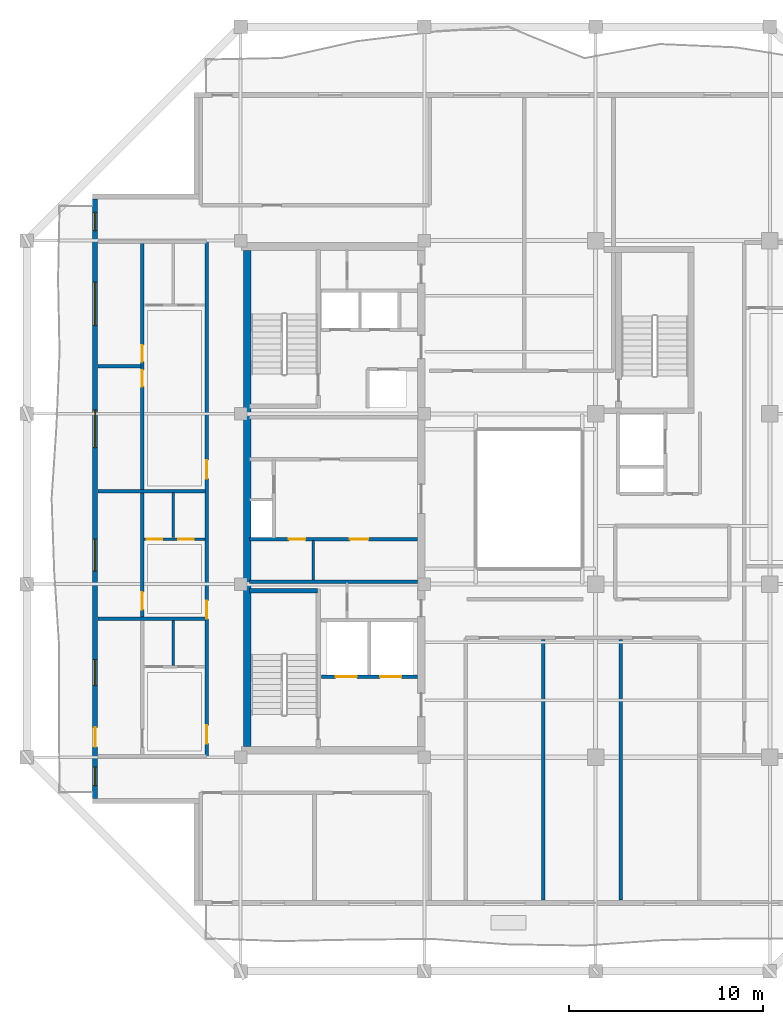
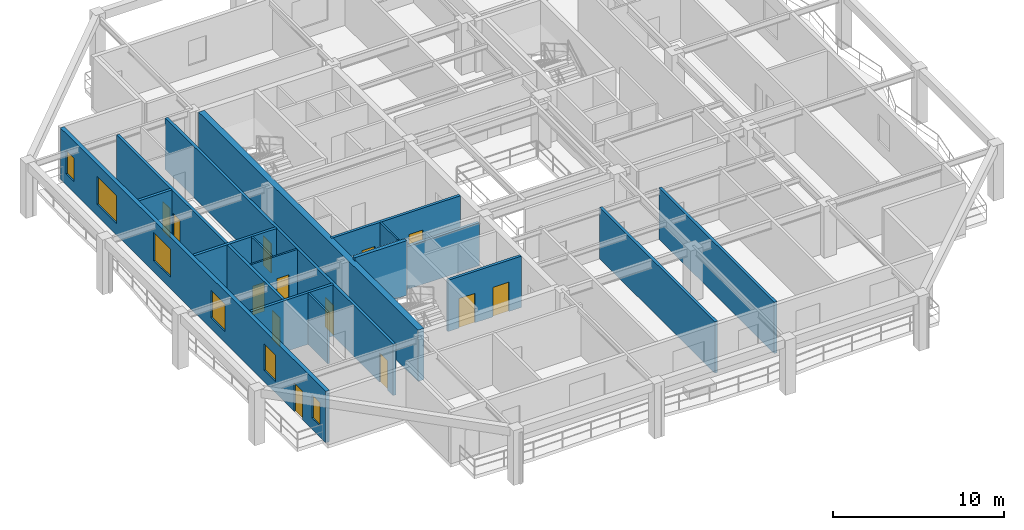
# One storey, part 3 of 11: 18 walls, 13 doors, 6 windows, 19 openings.
"""IFC4 building model written with IfcOpenShell, lengths in metres."""

from ifc_helpers import new_model, si_unit, direction, frame, frame_2d, origin, place, context, subcontext, project, spatial, rectangle, extrude, material, layer, layer_set, type_object, element, fill, save


model = new_model("IFC4")

# Units and contexts
model_context = context("Model", 3, precision=1e-05, world=origin(), true_north=direction((0.0, 1.0)))
body_context = subcontext(model_context, "Body", "Model", "MODEL_VIEW")
ifc_project = project(units=[si_unit("LENGTHUNIT", "METRE"), si_unit("AREAUNIT", "SQUARE_METRE"), si_unit("VOLUMEUNIT", "CUBIC_METRE"), si_unit("PLANEANGLEUNIT", "RADIAN"), si_unit("MASSUNIT", "GRAM", prefix="KILO")], contexts=[model_context])

# Site, building, storey
site_placement = place(None, origin())
site = spatial("IfcSite", under=ifc_project, at=site_placement, CompositionType="ELEMENT")
building_placement = place(site_placement, origin())
building = spatial("IfcBuilding", under=site, at=building_placement, Name="Kundavana Baori Tower", CompositionType="ELEMENT")
storey_placement = place(building_placement, frame((0.0, 0.0, 264.800048828125)))
storey = spatial("IfcBuildingStorey", under=building, at=storey_placement, Name="L65", CompositionType="ELEMENT", Elevation=264.800048828125)

# Walls
ifc_material_1 = material(Name="Concrete C50/60", Category="concrete")
ifc_layer_1 = layer(ifc_material_1, 0.39990234375, Name="WL-CORE-400")
ifc_layer_set_1 = layer_set([ifc_layer_1], Name="Concrete C50/60")
wall_type_1 = type_object("IfcWallType", Name="WL-CORE-400", PredefinedType="SHEAR", material=ifc_layer_set_1)
wall_1_placement = place(storey_placement, frame((15.7900390625, 15.81005859375, 0.0), z_axis=(0.0, 0.0, 1.0), x_axis=(0.0, 1.0, 0.0)))
element("IfcWall", 1, at=wall_1_placement, inside=storey, type_object=wall_type_1, Name="L65 Offset Core West Shear Wall", PredefinedType="SHEAR", context=body_context, shape_type="SweptSolid", body=[
    extrude(rectangle(XDim=25.6298828125, YDim=0.39990234375, at=frame_2d((12.81494140625, 0.0))), origin(), (0.0, 0.0, 1.0), 3.659912109375),
])
wall_2_placement = place(storey_placement, frame((15.89990234375, 23.860107421875, 0.0), z_axis=(0.0, 0.0, 1.0), x_axis=(1.0, 0.0, 0.0)))
element("IfcWall", 2, at=wall_2_placement, inside=storey, type_object=wall_type_1, Name="WL-L65-ST1-N", PredefinedType="SHEAR", context=body_context, shape_type="SweptSolid", body=[
    extrude(rectangle(XDim=3.52001953125, YDim=0.239990234375, at=frame_2d((1.760009765625, 0.0))), origin(), (0.0, 0.0, 1.0), 3.89990234375),
])

# Wall, openings, door, windows
ifc_material_2 = material(Name="Kiln-Fired Terracotta Brick-Slip Masonry on Concrete C40/50", Category="masonry")
ifc_layer_2 = layer(ifc_material_2, 0.260009765625, Name="WL-EXT-BRK-260")
ifc_layer_set_2 = layer_set([ifc_layer_2], Name="Kiln-Fired Terracotta Brick-Slip Masonry on Concrete C40/50")
wall_type_2 = type_object("IfcWallType", Name="WL-EXT-BRK-260", PredefinedType="SOLIDWALL", material=ifc_layer_set_2)
wall_3_placement = place(storey_placement, frame((7.929931640625, 44.090087890625, 0.0), z_axis=(0.0, 0.0, 1.0), x_axis=(0.0, -1.0, 0.0)))
wall_3 = element("IfcWall", 3, at=wall_3_placement, inside=storey, type_object=wall_type_2, Name="L65 Exterior Insulated Facade Wall 10", PredefinedType="SOLIDWALL", context=body_context, shape_type="SweptSolid", body=[
    extrude(rectangle(XDim=30.97998046875, YDim=0.260009765625, at=frame_2d((15.489990234375, 0.0))), origin(), (0.0, 0.0, 1.0), 3.659912109375),
])
opening_1_placement = place(wall_3_placement, frame((29.35498046875, 0.0, 0.800048828125)))
opening_1 = element("IfcOpeningElement", 4, at=opening_1_placement, cuts=wall_3, Name="Opening W-13", PredefinedType="OPENING", context=body_context, shape_type="SweptSolid", body=[
    extrude(rectangle(XDim=0.949951171875, YDim=1.64990234375, at=frame_2d((0.47509765625, 0.824951171875))), frame((0.0, 0.14013671875, 0.0), z_axis=(0.0, -1.0, 0.0), x_axis=(1.0, 0.0, 0.0)), (0.0, 0.0, 1.0), 0.280029296875),
])
opening_2_placement = place(wall_3_placement, frame((27.300048828125, 0.0, 0.0)))
opening_2 = element("IfcOpeningElement", 5, at=opening_2_placement, cuts=wall_3, Name="Opening BD-1", PredefinedType="OPENING", context=body_context, shape_type="SweptSolid", body=[
    extrude(rectangle(XDim=1.0, YDim=2.050048828125, at=frame_2d((0.5, 1.02490234375))), frame((0.0, 0.14013671875, 0.0), z_axis=(0.0, -1.0, 0.0), x_axis=(1.0, 0.0, 0.0)), (0.0, 0.0, 1.0), 0.280029296875),
])
opening_3_placement = place(wall_3_placement, frame((23.7900390625, 0.0, 0.800048828125)))
opening_3 = element("IfcOpeningElement", 6, at=opening_3_placement, cuts=wall_3, Name="Opening W-07", PredefinedType="OPENING", context=body_context, shape_type="SweptSolid", body=[
    extrude(rectangle(XDim=1.35009765625, YDim=1.89990234375, at=frame_2d((0.675048828125, 0.949951171875))), frame((0.0, 0.14013671875, 0.0), z_axis=(0.0, -1.0, 0.0), x_axis=(1.0, 0.0, 0.0)), (0.0, 0.0, 1.0), 0.280029296875),
])
opening_4_placement = place(wall_3_placement, frame((17.56494140625, 0.0, 0.800048828125)))
opening_4 = element("IfcOpeningElement", 7, at=opening_4_placement, cuts=wall_3, Name="Opening W-08", PredefinedType="OPENING", context=body_context, shape_type="SweptSolid", body=[
    extrude(rectangle(XDim=1.64990234375, YDim=1.949951171875, at=frame_2d((0.824951171875, 0.97509765625))), frame((0.0, 0.14013671875, 0.0), z_axis=(0.0, -1.0, 0.0), x_axis=(1.0, 0.0, 0.0)), (0.0, 0.0, 1.0), 0.280029296875),
])
opening_5_placement = place(wall_3_placement, frame((10.889892578125, 0.0, 0.800048828125)))
opening_5 = element("IfcOpeningElement", 8, at=opening_5_placement, cuts=wall_3, Name="Opening W-09", PredefinedType="OPENING", context=body_context, shape_type="SweptSolid", body=[
    extrude(rectangle(XDim=1.949951171875, YDim=2.0, at=frame_2d((0.97509765625, 1.0))), frame((0.0, 0.14013671875, 0.0), z_axis=(0.0, -1.0, 0.0), x_axis=(1.0, 0.0, 0.0)), (0.0, 0.0, 1.0), 0.280029296875),
])
opening_6_placement = place(wall_3_placement, frame((4.2900390625, 0.0, 0.800048828125)))
opening_6 = element("IfcOpeningElement", 9, at=opening_6_placement, cuts=wall_3, Name="Opening W-10", PredefinedType="OPENING", context=body_context, shape_type="SweptSolid", body=[
    extrude(rectangle(XDim=2.25, YDim=2.0, at=frame_2d((1.125, 1.0))), frame((0.0, 0.14013671875, 0.0), z_axis=(0.0, -1.0, 0.0), x_axis=(1.0, 0.0, 0.0)), (0.0, 0.0, 1.0), 0.280029296875),
])
opening_7_placement = place(wall_3_placement, frame((0.675048828125, 0.0, 0.800048828125)))
opening_7 = element("IfcOpeningElement", 10, at=opening_7_placement, cuts=wall_3, Name="Opening W-13", PredefinedType="OPENING", context=body_context, shape_type="SweptSolid", body=[
    extrude(rectangle(XDim=0.949951171875, YDim=1.64990234375, at=frame_2d((0.47509765625, 0.824951171875))), frame((0.0, 0.14013671875, 0.0), z_axis=(0.0, -1.0, 0.0), x_axis=(1.0, 0.0, 0.0)), (0.0, 0.0, 1.0), 0.280029296875),
])
ifc_material_3 = material(Name="Architectural Patinated Bronze Metalwork")
door_type_1 = type_object("IfcDoorType", Name="DR-EXT-LOG-1000", OperationType="NOTDEFINED", PredefinedType="DOOR", material=ifc_material_3)
door_1_placement = place(opening_2_placement, frame((1.0, 0.0, 0.0), z_axis=(0.0, 0.0, 1.0), x_axis=(-1.0, 0.0, 0.0)))
door_1 = element("IfcDoor", 11, at=door_1_placement, inside=storey, type_object=door_type_1, Name="L65 Loggia Balcony Access Door W", OperationType="SINGLE_SWING_LEFT", OverallHeight=2.050048828125, OverallWidth=1.0, PredefinedType="DOOR", context=body_context, shape_type="SweptSolid", body=[
    extrude(rectangle(XDim=1.0, YDim=2.050048828125, at=frame_2d((0.5, 1.02490234375))), frame((0.0, 0.02490234375, 0.0), z_axis=(0.0, -1.0, 0.0), x_axis=(1.0, 0.0, 0.0)), (0.0, 0.0, 1.0), 0.050048828125),
])
fill(opening_2, door_1)
ifc_material_4 = material(Name="Double-Glazed Solar-Control Low-E Insulated Glass", Category="glass")
window_type_1 = type_object("IfcWindowType", Name="WIN-LOG-1350x1900", PartitioningType="SINGLE_PANEL", PredefinedType="WINDOW", material=ifc_material_4)
window_1_placement = place(opening_3_placement, origin())
window_1 = element("IfcWindow", 12, at=window_1_placement, inside=storey, type_object=window_type_1, Name="L65 Recessed Loggia Window W-2", OverallHeight=1.89990234375, OverallWidth=1.35009765625, PartitioningType="SINGLE_PANEL", PredefinedType="WINDOW", context=body_context, shape_type="SweptSolid", body=[
    extrude(rectangle(XDim=1.35009765625, YDim=1.89990234375, at=frame_2d((0.675048828125, 0.949951171875))), frame((0.0, 0.030029296875, 0.0), z_axis=(0.0, -1.0, 0.0), x_axis=(1.0, 0.0, 0.0)), (0.0, 0.0, 1.0), 0.06005859375),
])
fill(opening_3, window_1)
ifc_material_5 = material(Name="Double-Glazed Solar-Control Low-E Insulated Glass", Category="glass")
window_type_2 = type_object("IfcWindowType", Name="WIN-LOG-1650x1950", PartitioningType="SINGLE_PANEL", PredefinedType="WINDOW", material=ifc_material_5)
window_2_placement = place(opening_4_placement, origin())
window_2 = element("IfcWindow", 13, at=window_2_placement, inside=storey, type_object=window_type_2, Name="L65 Recessed Loggia Window W-3", OverallHeight=1.949951171875, OverallWidth=1.64990234375, PartitioningType="SINGLE_PANEL", PredefinedType="WINDOW", context=body_context, shape_type="SweptSolid", body=[
    extrude(rectangle(XDim=1.64990234375, YDim=1.949951171875, at=frame_2d((0.824951171875, 0.97509765625))), frame((0.0, 0.030029296875, 0.0), z_axis=(0.0, -1.0, 0.0), x_axis=(1.0, 0.0, 0.0)), (0.0, 0.0, 1.0), 0.06005859375),
])
fill(opening_4, window_2)
ifc_material_6 = material(Name="Double-Glazed Solar-Control Low-E Insulated Glass", Category="glass")
window_type_3 = type_object("IfcWindowType", Name="WIN-LOG-1950x2000", PartitioningType="SINGLE_PANEL", PredefinedType="WINDOW", material=ifc_material_6)
window_3_placement = place(opening_5_placement, origin())
window_3 = element("IfcWindow", 14, at=window_3_placement, inside=storey, type_object=window_type_3, Name="L65 Recessed Loggia Window W-4", OverallHeight=2.0, OverallWidth=1.949951171875, PartitioningType="SINGLE_PANEL", PredefinedType="WINDOW", context=body_context, shape_type="SweptSolid", body=[
    extrude(rectangle(XDim=1.949951171875, YDim=2.0, at=frame_2d((0.97509765625, 1.0))), frame((0.0, 0.030029296875, 0.0), z_axis=(0.0, -1.0, 0.0), x_axis=(1.0, 0.0, 0.0)), (0.0, 0.0, 1.0), 0.06005859375),
])
fill(opening_5, window_3)
ifc_material_7 = material(Name="Double-Glazed Solar-Control Low-E Insulated Glass", Category="glass")
window_type_4 = type_object("IfcWindowType", Name="WIN-LOG-2250x2000", PartitioningType="SINGLE_PANEL", PredefinedType="WINDOW", material=ifc_material_7)
window_4_placement = place(opening_6_placement, origin())
window_4 = element("IfcWindow", 15, at=window_4_placement, inside=storey, type_object=window_type_4, Name="L65 Recessed Loggia Window W-5", OverallHeight=2.0, OverallWidth=2.25, PartitioningType="SINGLE_PANEL", PredefinedType="WINDOW", context=body_context, shape_type="SweptSolid", body=[
    extrude(rectangle(XDim=2.25, YDim=2.0, at=frame_2d((1.125, 1.0))), frame((0.0, 0.030029296875, 0.0), z_axis=(0.0, -1.0, 0.0), x_axis=(1.0, 0.0, 0.0)), (0.0, 0.0, 1.0), 0.06005859375),
])
fill(opening_6, window_4)
ifc_material_8 = material(Name="Double-Glazed Solar-Control Low-E Insulated Glass", Category="glass")
window_type_5 = type_object("IfcWindowType", Name="WIN-LOG-950x1650", PartitioningType="SINGLE_PANEL", PredefinedType="WINDOW", material=ifc_material_8)
window_5_placement = place(opening_1_placement, origin())
window_5 = element("IfcWindow", 16, at=window_5_placement, inside=storey, type_object=window_type_5, Name="L65 Recessed Loggia Window W-1", OverallHeight=1.64990234375, OverallWidth=0.949951171875, PartitioningType="SINGLE_PANEL", PredefinedType="WINDOW", context=body_context, shape_type="SweptSolid", body=[
    extrude(rectangle(XDim=0.949951171875, YDim=1.64990234375, at=frame_2d((0.47509765625, 0.824951171875))), frame((0.0, 0.030029296875, 0.0), z_axis=(0.0, -1.0, 0.0), x_axis=(1.0, 0.0, 0.0)), (0.0, 0.0, 1.0), 0.06005859375),
])
fill(opening_1, window_5)
window_6_placement = place(opening_7_placement, origin())
window_6 = element("IfcWindow", 17, at=window_6_placement, inside=storey, type_object=window_type_5, Name="L65 Recessed Loggia Window W-6", OverallHeight=1.64990234375, OverallWidth=0.949951171875, PartitioningType="SINGLE_PANEL", PredefinedType="WINDOW", context=body_context, shape_type="SweptSolid", body=[
    extrude(rectangle(XDim=0.949951171875, YDim=1.64990234375, at=frame_2d((0.47509765625, 0.824951171875))), frame((0.0, 0.030029296875, 0.0), z_axis=(0.0, -1.0, 0.0), x_axis=(1.0, 0.0, 0.0)), (0.0, 0.0, 1.0), 0.06005859375),
])
fill(opening_7, window_6)

# Wall
ifc_material_9 = material(Name="Acoustic Gypsum Plasterboard on Galvanised Steel Studs", Category="steel")
ifc_layer_3 = layer(ifc_material_9, 0.1201171875, Name="WL-PART-120")
ifc_layer_set_3 = layer_set([ifc_layer_3], Name="Acoustic Gypsum Plasterboard on Galvanised Steel Studs")
wall_type_3 = type_object("IfcWallType", Name="WL-PART-120", PredefinedType="PARTITIONING", material=ifc_layer_set_3)
wall_4_placement = place(storey_placement, frame((19.199951171875, 24.419921875, 0.0), z_axis=(0.0, 0.0, 1.0), x_axis=(0.0, 1.0, 0.0)))
element("IfcWall", 18, at=wall_4_placement, inside=storey, type_object=wall_type_3, Name="WL-L65-FRLOW-DIV", PredefinedType="PARTITIONING", context=body_context, shape_type="SweptSolid", body=[
    extrude(rectangle(XDim=2.02001953125, YDim=0.1201171875, at=frame_2d((1.010009765625, 0.0))), origin(), (0.0, 0.0, 1.0), 3.659912109375),
])

# Wall, openings, doors
ifc_material_10 = material(Name="Autoclaved Aerated Concrete Blockwork Masonry", Category="masonry")
ifc_layer_4 = layer(ifc_material_10, 0.18505859375, Name="WL-PART-180")
ifc_layer_set_4 = layer_set([ifc_layer_4], Name="Autoclaved Aerated Concrete Blockwork Masonry")
wall_type_4 = type_object("IfcWallType", Name="WL-PART-180", PredefinedType="SOLIDWALL", material=ifc_layer_set_4)
wall_5_placement = place(storey_placement, frame((13.699951171875, 15.300048828125, 0.0), z_axis=(0.0, 0.0, 1.0), x_axis=(0.0, 1.0, 0.0)))
wall_5 = element("IfcWall", 19, at=wall_5_placement, inside=storey, type_object=wall_type_4, Name="WL-L65-RW", PredefinedType="SOLIDWALL", context=body_context, shape_type="SweptSolid", body=[
    extrude(rectangle(XDim=26.599853515625, YDim=0.18505859375, at=frame_2d((13.2998046875, 0.0))), origin(), (0.0, 0.0, 1.0), 3.659912109375),
])
opening_8_placement = place(wall_5_placement, frame((0.64990234375, 0.0, 0.0)))
opening_8 = element("IfcOpeningElement", 20, at=opening_8_placement, cuts=wall_5, Name="Opening FD-095", PredefinedType="OPENING", context=body_context, shape_type="SweptSolid", body=[
    extrude(rectangle(XDim=0.949951171875, YDim=2.10009765625, at=frame_2d((0.47509765625, 1.050048828125))), frame((0.0, 0.1025390625, 0.0), z_axis=(0.0, -1.0, 0.0), x_axis=(1.0, 0.0, 0.0)), (0.0, 0.0, 1.0), 0.205078125),
])
opening_9_placement = place(wall_5_placement, frame((7.10009765625, 0.0, 0.0)))
opening_9 = element("IfcOpeningElement", 21, at=opening_9_placement, cuts=wall_5, Name="Opening FD-095", PredefinedType="OPENING", context=body_context, shape_type="SweptSolid", body=[
    extrude(rectangle(XDim=0.949951171875, YDim=2.10009765625, at=frame_2d((0.47509765625, 1.050048828125))), frame((0.0, 0.1025390625, 0.0), z_axis=(0.0, -1.0, 0.0), x_axis=(1.0, 0.0, 0.0)), (0.0, 0.0, 1.0), 0.205078125),
])
opening_10_placement = place(wall_5_placement, frame((14.35009765625, 0.0, 0.0)))
opening_10 = element("IfcOpeningElement", 22, at=opening_10_placement, cuts=wall_5, Name="Opening FD-095", PredefinedType="OPENING", context=body_context, shape_type="SweptSolid", body=[
    extrude(rectangle(XDim=0.949951171875, YDim=2.10009765625, at=frame_2d((0.47509765625, 1.050048828125))), frame((0.0, 0.1025390625, 0.0), z_axis=(0.0, -1.0, 0.0), x_axis=(1.0, 0.0, 0.0)), (0.0, 0.0, 1.0), 0.205078125),
])
ifc_material_11 = material(Name="Engineered Teak Fire-Rated Timber Door Leaf", Category="wood")
door_type_2 = type_object("IfcDoorType", Name="DR-FD60-950", OperationType="NOTDEFINED", PredefinedType="DOOR", material=ifc_material_11)
door_2_placement = place(opening_8_placement, frame((0.949951171875, 0.0, 0.0), z_axis=(0.0, 0.0, 1.0), x_axis=(-1.0, 0.0, 0.0)))
door_2 = element("IfcDoor", 23, at=door_2_placement, inside=storey, type_object=door_type_2, Name="DR-L65-W1-ENT", OperationType="SINGLE_SWING_LEFT", OverallHeight=2.10009765625, OverallWidth=0.949951171875, PredefinedType="DOOR", context=body_context, shape_type="SweptSolid", body=[
    extrude(rectangle(XDim=0.949951171875, YDim=2.10009765625, at=frame_2d((0.47509765625, 1.050048828125))), frame((0.0, 0.02490234375, 0.0), z_axis=(0.0, -1.0, 0.0), x_axis=(1.0, 0.0, 0.0)), (0.0, 0.0, 1.0), 0.050048828125),
])
fill(opening_8, door_2)
door_3_placement = place(opening_9_placement, frame((0.949951171875, 0.0, 0.0), z_axis=(0.0, 0.0, 1.0), x_axis=(-1.0, 0.0, 0.0)))
door_3 = element("IfcDoor", 24, at=door_3_placement, inside=storey, type_object=door_type_2, Name="DR-L65-W2-ENT", OperationType="SINGLE_SWING_LEFT", OverallHeight=2.10009765625, OverallWidth=0.949951171875, PredefinedType="DOOR", context=body_context, shape_type="SweptSolid", body=[
    extrude(rectangle(XDim=0.949951171875, YDim=2.10009765625, at=frame_2d((0.47509765625, 1.050048828125))), frame((0.0, 0.02490234375, 0.0), z_axis=(0.0, -1.0, 0.0), x_axis=(1.0, 0.0, 0.0)), (0.0, 0.0, 1.0), 0.050048828125),
])
fill(opening_9, door_3)
door_4_placement = place(opening_10_placement, frame((0.949951171875, 0.0, 0.0), z_axis=(0.0, 0.0, 1.0), x_axis=(-1.0, 0.0, 0.0)))
door_4 = element("IfcDoor", 25, at=door_4_placement, inside=storey, type_object=door_type_2, Name="DR-L65-W3-ENT", OperationType="SINGLE_SWING_LEFT", OverallHeight=2.10009765625, OverallWidth=0.949951171875, PredefinedType="DOOR", context=body_context, shape_type="SweptSolid", body=[
    extrude(rectangle(XDim=0.949951171875, YDim=2.10009765625, at=frame_2d((0.47509765625, 1.050048828125))), frame((0.0, 0.02490234375, 0.0), z_axis=(0.0, -1.0, 0.0), x_axis=(1.0, 0.0, 0.0)), (0.0, 0.0, 1.0), 0.050048828125),
])
fill(opening_10, door_4)

# Wall
wall_6_placement = place(storey_placement, frame((8.080078125, 22.39990234375, 0.0), z_axis=(0.0, 0.0, 1.0), x_axis=(1.0, 0.0, 0.0)))
element("IfcWall", 26, at=wall_6_placement, inside=storey, type_object=wall_type_4, Name="WL-L65-RWD1", PredefinedType="SOLIDWALL", context=body_context, shape_type="SweptSolid", body=[
    extrude(rectangle(XDim=5.559814453125, YDim=0.18505859375, at=frame_2d((2.77978515625, 0.0))), origin(), (0.0, 0.0, 1.0), 3.659912109375),
])

# Wall, opening, door
wall_7_placement = place(storey_placement, frame((10.3701171875, 22.47998046875, 0.0), z_axis=(0.0, 0.0, 1.0), x_axis=(0.0, 1.0, 0.0)))
wall_7 = element("IfcWall", 27, at=wall_7_placement, inside=storey, type_object=wall_type_4, Name="WL-L65-W2-VT", PredefinedType="SOLIDWALL", context=body_context, shape_type="SweptSolid", body=[
    extrude(rectangle(XDim=6.43994140625, YDim=0.18505859375, at=frame_2d((3.219970703125, 0.0))), origin(), (0.0, 0.0, 1.0), 3.659912109375),
])
opening_11_placement = place(wall_7_placement, frame((0.39990234375, 0.0, 0.0)))
opening_11 = element("IfcOpeningElement", 28, at=opening_11_placement, cuts=wall_7, Name="Opening ID-090", PredefinedType="OPENING", context=body_context, shape_type="SweptSolid", body=[
    extrude(rectangle(XDim=0.89990234375, YDim=2.080078125, at=frame_2d((0.449951171875, 1.0400390625))), frame((0.0, 0.1025390625, 0.0), z_axis=(0.0, -1.0, 0.0), x_axis=(1.0, 0.0, 0.0)), (0.0, 0.0, 1.0), 0.205078125),
])
ifc_material_12 = material(Name="Engineered Teak Solid-Core Timber Veneer", Category="wood")
door_type_3 = type_object("IfcDoorType", Name="DR-INT-900", OperationType="NOTDEFINED", PredefinedType="DOOR", material=ifc_material_12)
door_5_placement = place(opening_11_placement, frame((0.89990234375, 0.0, 0.0), z_axis=(0.0, 0.0, 1.0), x_axis=(-1.0, 0.0, 0.0)))
door_5 = element("IfcDoor", 29, at=door_5_placement, inside=storey, type_object=door_type_3, Name="DR-L65-W2-B1", OperationType="SINGLE_SWING_LEFT", OverallHeight=2.080078125, OverallWidth=0.89990234375, PredefinedType="DOOR", context=body_context, shape_type="SweptSolid", body=[
    extrude(rectangle(XDim=0.89990234375, YDim=2.080078125, at=frame_2d((0.449951171875, 1.0400390625))), frame((0.0, 0.02490234375, 0.0), z_axis=(0.0, -1.0, 0.0), x_axis=(1.0, 0.0, 0.0)), (0.0, 0.0, 1.0), 0.050048828125),
])
fill(opening_11, door_5)

# Wall
wall_8_placement = place(storey_placement, frame((8.080078125, 29.0, 0.0), z_axis=(0.0, 0.0, 1.0), x_axis=(1.0, 0.0, 0.0)))
element("IfcWall", 30, at=wall_8_placement, inside=storey, type_object=wall_type_4, Name="WL-L65-RWD2", PredefinedType="SOLIDWALL", context=body_context, shape_type="SweptSolid", body=[
    extrude(rectangle(XDim=5.559814453125, YDim=0.18505859375, at=frame_2d((2.77978515625, 0.0))), origin(), (0.0, 0.0, 1.0), 3.659912109375),
])

# Wall, openings, doors
wall_9_placement = place(storey_placement, frame((10.3701171875, 29.080078125, 0.0), z_axis=(0.0, 0.0, 1.0), x_axis=(0.0, 1.0, 0.0)))
wall_9 = element("IfcWall", 31, at=wall_9_placement, inside=storey, type_object=wall_type_4, Name="WL-L65-W3-VT", PredefinedType="SOLIDWALL", context=body_context, shape_type="SweptSolid", body=[
    extrude(rectangle(XDim=12.739990234375, YDim=0.18505859375, at=frame_2d((6.3701171875, 0.0))), origin(), (0.0, 0.0, 1.0), 3.659912109375),
])
opening_12_placement = place(wall_9_placement, frame((5.320068359375, 0.0, 0.0)))
opening_12 = element("IfcOpeningElement", 32, at=opening_12_placement, cuts=wall_9, Name="Opening ID-085", PredefinedType="OPENING", context=body_context, shape_type="SweptSolid", body=[
    extrude(rectangle(XDim=0.85009765625, YDim=2.080078125, at=frame_2d((0.425048828125, 1.0400390625))), frame((0.0, 0.1025390625, 0.0), z_axis=(0.0, -1.0, 0.0), x_axis=(1.0, 0.0, 0.0)), (0.0, 0.0, 1.0), 0.205078125),
])
opening_13_placement = place(wall_9_placement, frame((6.6201171875, 0.0, 0.0)))
opening_13 = element("IfcOpeningElement", 33, at=opening_13_placement, cuts=wall_9, Name="Opening ID-085", PredefinedType="OPENING", context=body_context, shape_type="SweptSolid", body=[
    extrude(rectangle(XDim=0.85009765625, YDim=2.080078125, at=frame_2d((0.425048828125, 1.0400390625))), frame((0.0, 0.1025390625, 0.0), z_axis=(0.0, -1.0, 0.0), x_axis=(1.0, 0.0, 0.0)), (0.0, 0.0, 1.0), 0.205078125),
])
ifc_material_13 = material(Name="Engineered Teak Solid-Core Timber Veneer", Category="wood")
door_type_4 = type_object("IfcDoorType", Name="DR-INT-850", OperationType="NOTDEFINED", PredefinedType="DOOR", material=ifc_material_13)
door_6_placement = place(opening_12_placement, frame((0.85009765625, 0.0, 0.0), z_axis=(0.0, 0.0, 1.0), x_axis=(-1.0, 0.0, 0.0)))
door_6 = element("IfcDoor", 34, at=door_6_placement, inside=storey, type_object=door_type_4, Name="DR-L65-W3-B1", OperationType="SINGLE_SWING_LEFT", OverallHeight=2.080078125, OverallWidth=0.85009765625, PredefinedType="DOOR", context=body_context, shape_type="SweptSolid", body=[
    extrude(rectangle(XDim=0.85009765625, YDim=2.080078125, at=frame_2d((0.425048828125, 1.0400390625))), frame((0.0, 0.02490234375, 0.0), z_axis=(0.0, -1.0, 0.0), x_axis=(1.0, 0.0, 0.0)), (0.0, 0.0, 1.0), 0.050048828125),
])
fill(opening_12, door_6)
door_7_placement = place(opening_13_placement, frame((0.85009765625, 0.0, 0.0), z_axis=(0.0, 0.0, 1.0), x_axis=(-1.0, 0.0, 0.0)))
door_7 = element("IfcDoor", 35, at=door_7_placement, inside=storey, type_object=door_type_4, Name="DR-L65-W3-B2", OperationType="SINGLE_SWING_RIGHT", OverallHeight=2.080078125, OverallWidth=0.85009765625, PredefinedType="DOOR", context=body_context, shape_type="SweptSolid", body=[
    extrude(rectangle(XDim=0.85009765625, YDim=2.080078125, at=frame_2d((0.425048828125, 1.0400390625))), frame((0.0, 0.02490234375, 0.0), z_axis=(0.0, -1.0, 0.0), x_axis=(1.0, 0.0, 0.0)), (0.0, 0.0, 1.0), 0.050048828125),
])
fill(opening_13, door_7)

# Walls
wall_10_placement = place(storey_placement, frame((8.080078125, 35.449951171875, 0.0), z_axis=(0.0, 0.0, 1.0), x_axis=(1.0, 0.0, 0.0)))
element("IfcWall", 36, at=wall_10_placement, inside=storey, type_object=wall_type_4, Name="WL-L65-W3-BDH", PredefinedType="SOLIDWALL", context=body_context, shape_type="SweptSolid", body=[
    extrude(rectangle(XDim=2.2099609375, YDim=0.18505859375, at=frame_2d((1.10498046875, 0.0))), origin(), (0.0, 0.0, 1.0), 3.659912109375),
])
for number, where, z_axis, x_axis, name in (
    (37, (31.10009765625, 7.8798828125, 0.0), (0.0, 0.0, 1.0), (0.0, 1.0, 0.0), "WL-L65-RSD1"),
    (38, (35.10009765625, 7.8798828125, 0.0), (0.0, 0.0, 1.0), (0.0, 1.0, 0.0), "WL-L65-RSD2"),
):
    element("IfcWall", number, at=place(storey_placement, frame(where, z_axis=z_axis, x_axis=x_axis)), inside=storey, type_object=wall_type_4, Name=name, PredefinedType="SOLIDWALL", context=body_context, shape_type="SweptSolid", body=[
        extrude(rectangle(XDim=13.460205078125, YDim=0.18505859375, at=frame_2d((6.72998046875, 0.0))), origin(), (0.0, 0.0, 1.0), 3.659912109375),
    ])

# Wall, openings, doors
ifc_material_14 = material(Name="Autoclaved Aerated Concrete Blockwork Masonry", Category="masonry")
ifc_layer_5 = layer(ifc_material_14, 0.179931640625, Name="WL-SHAFT-180")
ifc_layer_set_5 = layer_set([ifc_layer_5], Name="Autoclaved Aerated Concrete Blockwork Masonry")
wall_type_5 = type_object("IfcWallType", Name="WL-SHAFT-180", PredefinedType="SOLIDWALL", material=ifc_layer_set_5)
wall_11_placement = place(storey_placement, frame((19.639892578125, 19.419921875, 0.0), z_axis=(0.0, 0.0, 1.0), x_axis=(1.0, 0.0, 0.0)))
wall_11 = element("IfcWall", 39, at=wall_11_placement, inside=storey, type_object=wall_type_5, Name="WL-L65-FFL-S", PredefinedType="SOLIDWALL", context=body_context, shape_type="SweptSolid", body=[
    extrude(rectangle(XDim=4.940185546875, YDim=0.179931640625, at=frame_2d((2.47021484375, 0.0))), origin(), (0.0, 0.0, 1.0), 3.659912109375),
])
opening_14_placement = place(wall_11_placement, frame((0.719970703125, 0.0, 0.0)))
opening_14 = element("IfcOpeningElement", 40, at=opening_14_placement, cuts=wall_11, Name="Opening LD-110", PredefinedType="OPENING", context=body_context, shape_type="SweptSolid", body=[
    extrude(rectangle(XDim=1.10009765625, YDim=2.10009765625, at=frame_2d((0.550048828125, 1.050048828125))), frame((0.0, 0.10009765625, 0.0), z_axis=(0.0, -1.0, 0.0), x_axis=(1.0, 0.0, 0.0)), (0.0, 0.0, 1.0), 0.199951171875),
])
opening_15_placement = place(wall_11_placement, frame((3.02001953125, 0.0, 0.0)))
opening_15 = element("IfcOpeningElement", 41, at=opening_15_placement, cuts=wall_11, Name="Opening LD-110", PredefinedType="OPENING", context=body_context, shape_type="SweptSolid", body=[
    extrude(rectangle(XDim=1.10009765625, YDim=2.10009765625, at=frame_2d((0.550048828125, 1.050048828125))), frame((0.0, 0.10009765625, 0.0), z_axis=(0.0, -1.0, 0.0), x_axis=(1.0, 0.0, 0.0)), (0.0, 0.0, 1.0), 0.199951171875),
])
ifc_material_15 = material(Name="Galvanised Steel Fire-Rated Door Leaf", Category="steel")
door_type_5 = type_object("IfcDoorType", Name="DR-SLIDE-LD1100", OperationType="NOTDEFINED", PredefinedType="DOOR", material=ifc_material_15)
door_8_placement = place(opening_14_placement, origin())
door_8 = element("IfcDoor", 42, at=door_8_placement, inside=storey, type_object=door_type_5, Name="DR-L65-LD-FFL-1", OperationType="DOUBLE_DOOR_SLIDING", OverallHeight=2.10009765625, OverallWidth=1.10009765625, PredefinedType="DOOR", context=body_context, shape_type="SweptSolid", body=[
    extrude(rectangle(XDim=1.10009765625, YDim=2.10009765625, at=frame_2d((0.550048828125, 1.050048828125))), frame((0.0, 0.02490234375, 0.0), z_axis=(0.0, -1.0, 0.0), x_axis=(1.0, 0.0, 0.0)), (0.0, 0.0, 1.0), 0.050048828125),
])
fill(opening_14, door_8)
door_9_placement = place(opening_15_placement, origin())
door_9 = element("IfcDoor", 43, at=door_9_placement, inside=storey, type_object=door_type_5, Name="DR-L65-LD-FFL-2", OperationType="DOUBLE_DOOR_SLIDING", OverallHeight=2.10009765625, OverallWidth=1.10009765625, PredefinedType="DOOR", context=body_context, shape_type="SweptSolid", body=[
    extrude(rectangle(XDim=1.10009765625, YDim=2.10009765625, at=frame_2d((0.550048828125, 1.050048828125))), frame((0.0, 0.02490234375, 0.0), z_axis=(0.0, -1.0, 0.0), x_axis=(1.0, 0.0, 0.0)), (0.0, 0.0, 1.0), 0.050048828125),
])
fill(opening_15, door_9)

wall_12_placement = place(storey_placement, frame((15.89990234375, 26.52001953125, 0.0), z_axis=(0.0, 0.0, 1.0), x_axis=(1.0, 0.0, 0.0)))
wall_12 = element("IfcWall", 44, at=wall_12_placement, inside=storey, type_object=wall_type_5, Name="WL-L65-LPLOW-N", PredefinedType="SOLIDWALL", context=body_context, shape_type="SweptSolid", body=[
    extrude(rectangle(XDim=8.68017578125, YDim=0.179931640625, at=frame_2d((4.340087890625, 0.0))), origin(), (0.0, 0.0, 1.0), 3.659912109375),
])
opening_16_placement = place(wall_12_placement, frame((2.050048828125, 0.0, 0.0)))
opening_16 = element("IfcOpeningElement", 45, at=opening_16_placement, cuts=wall_12, Name="Opening FD-085", PredefinedType="OPENING", context=body_context, shape_type="SweptSolid", body=[
    extrude(rectangle(XDim=0.85009765625, YDim=2.06005859375, at=frame_2d((0.425048828125, 1.030029296875))), frame((0.0, 0.10009765625, 0.0), z_axis=(0.0, -1.0, 0.0), x_axis=(1.0, 0.0, 0.0)), (0.0, 0.0, 1.0), 0.199951171875),
])
opening_17_placement = place(wall_12_placement, frame((5.199951171875, 0.0, 0.0)))
opening_17 = element("IfcOpeningElement", 46, at=opening_17_placement, cuts=wall_12, Name="Opening FD-095", PredefinedType="OPENING", context=body_context, shape_type="SweptSolid", body=[
    extrude(rectangle(XDim=0.949951171875, YDim=2.10009765625, at=frame_2d((0.47509765625, 1.050048828125))), frame((0.0, 0.10009765625, 0.0), z_axis=(0.0, -1.0, 0.0), x_axis=(1.0, 0.0, 0.0)), (0.0, 0.0, 1.0), 0.199951171875),
])
ifc_material_16 = material(Name="Galvanised Steel Fire-Rated Door Leaf", Category="steel")
door_type_6 = type_object("IfcDoorType", Name="DR-FD60-850", OperationType="NOTDEFINED", PredefinedType="DOOR", material=ifc_material_16)
door_10_placement = place(opening_16_placement, origin())
door_10 = element("IfcDoor", 47, at=door_10_placement, inside=storey, type_object=door_type_6, Name="DR-L65-FRLOW1", OperationType="SINGLE_SWING_LEFT", OverallHeight=2.06005859375, OverallWidth=0.85009765625, PredefinedType="DOOR", context=body_context, shape_type="SweptSolid", body=[
    extrude(rectangle(XDim=0.85009765625, YDim=2.06005859375, at=frame_2d((0.425048828125, 1.030029296875))), frame((0.0, 0.02490234375, 0.0), z_axis=(0.0, -1.0, 0.0), x_axis=(1.0, 0.0, 0.0)), (0.0, 0.0, 1.0), 0.050048828125),
])
fill(opening_16, door_10)
door_11_placement = place(opening_17_placement, origin())
door_11 = element("IfcDoor", 48, at=door_11_placement, inside=storey, type_object=door_type_2, Name="DR-L65-FRLOW2", OperationType="SINGLE_SWING_RIGHT", OverallHeight=2.10009765625, OverallWidth=0.949951171875, PredefinedType="DOOR", context=body_context, shape_type="SweptSolid", body=[
    extrude(rectangle(XDim=0.949951171875, YDim=2.10009765625, at=frame_2d((0.47509765625, 1.050048828125))), frame((0.0, 0.02490234375, 0.0), z_axis=(0.0, -1.0, 0.0), x_axis=(1.0, 0.0, 0.0)), (0.0, 0.0, 1.0), 0.050048828125),
])
fill(opening_17, door_11)

# Walls
wall_13_placement = place(storey_placement, frame((15.89990234375, 24.330078125, 0.0), z_axis=(0.0, 0.0, 1.0), x_axis=(1.0, 0.0, 0.0)))
element("IfcWall", 49, at=wall_13_placement, inside=storey, type_object=wall_type_5, Name="WL-L65-LPLOW-S", PredefinedType="SOLIDWALL", context=body_context, shape_type="SweptSolid", body=[
    extrude(rectangle(XDim=8.68017578125, YDim=0.179931640625, at=frame_2d((4.340087890625, 0.0))), origin(), (0.0, 0.0, 1.0), 3.06005859375),
])
ifc_material_17 = material(Name="Autoclaved Aerated Concrete Blockwork Masonry", Category="masonry")
ifc_layer_6 = layer(ifc_material_17, 0.125, Name="WL-WET-120")
ifc_layer_set_6 = layer_set([ifc_layer_6], Name="Autoclaved Aerated Concrete Blockwork Masonry")
wall_type_6 = type_object("IfcWallType", Name="WL-WET-120", PredefinedType="PLUMBINGWALL", material=ifc_layer_set_6)
wall_14_placement = place(storey_placement, frame((11.971923828125, 20.0, 0.0), z_axis=(0.0, 0.0, 1.0), x_axis=(0.0, 1.0, 0.0)))
element("IfcWall", 50, at=wall_14_placement, inside=storey, type_object=wall_type_6, Name="WL-L65-W1-BV", PredefinedType="PLUMBINGWALL", context=body_context, shape_type="SweptSolid", body=[
    extrude(rectangle(XDim=2.320068359375, YDim=0.125, at=frame_2d((1.16015625, 0.0))), origin(), (0.0, 0.0, 1.0), 3.659912109375),
])

# Wall, openings, doors
wall_15_placement = place(storey_placement, frame((10.449951171875, 26.52001953125, 0.0), z_axis=(0.0, 0.0, 1.0), x_axis=(1.0, 0.0, 0.0)))
wall_15 = element("IfcWall", 51, at=wall_15_placement, inside=storey, type_object=wall_type_6, Name="WL-L65-W2-KH", PredefinedType="PLUMBINGWALL", context=body_context, shape_type="SweptSolid", body=[
    extrude(rectangle(XDim=3.170166015625, YDim=0.125, at=frame_2d((1.5849609375, 0.0))), origin(), (0.0, 0.0, 1.0), 3.659912109375),
])
opening_18_placement = place(wall_15_placement, frame((0.159912109375, 0.0, 0.0)))
opening_18 = element("IfcOpeningElement", 52, at=opening_18_placement, cuts=wall_15, Name="Opening WD-080", PredefinedType="OPENING", context=body_context, shape_type="SweptSolid", body=[
    extrude(rectangle(XDim=0.800048828125, YDim=2.050048828125, at=frame_2d((0.39990234375, 1.02490234375))), frame((0.0, 0.072509765625, 0.0), z_axis=(0.0, -1.0, 0.0), x_axis=(1.0, 0.0, 0.0)), (0.0, 0.0, 1.0), 0.14501953125),
])
opening_19_placement = place(wall_15_placement, frame((1.781982421875, 0.0, 0.0)))
opening_19 = element("IfcOpeningElement", 53, at=opening_19_placement, cuts=wall_15, Name="Opening WD-080", PredefinedType="OPENING", context=body_context, shape_type="SweptSolid", body=[
    extrude(rectangle(XDim=0.800048828125, YDim=2.050048828125, at=frame_2d((0.39990234375, 1.02490234375))), frame((0.0, 0.072509765625, 0.0), z_axis=(0.0, -1.0, 0.0), x_axis=(1.0, 0.0, 0.0)), (0.0, 0.0, 1.0), 0.14501953125),
])
ifc_material_18 = material(Name="Engineered Teak Solid-Core Timber Veneer", Category="wood")
door_type_7 = type_object("IfcDoorType", Name="DR-WET-800", OperationType="NOTDEFINED", PredefinedType="DOOR", material=ifc_material_18)
door_12_placement = place(opening_18_placement, origin())
door_12 = element("IfcDoor", 54, at=door_12_placement, inside=storey, type_object=door_type_7, Name="DR-L65-W2-BT", OperationType="SINGLE_SWING_LEFT", OverallHeight=2.050048828125, OverallWidth=0.800048828125, PredefinedType="DOOR", context=body_context, shape_type="SweptSolid", body=[
    extrude(rectangle(XDim=0.800048828125, YDim=2.050048828125, at=frame_2d((0.39990234375, 1.02490234375))), frame((0.0, 0.02490234375, 0.0), z_axis=(0.0, -1.0, 0.0), x_axis=(1.0, 0.0, 0.0)), (0.0, 0.0, 1.0), 0.050048828125),
])
fill(opening_18, door_12)
door_13_placement = place(opening_19_placement, origin())
door_13 = element("IfcDoor", 55, at=door_13_placement, inside=storey, type_object=door_type_7, Name="DR-L65-W2-KT", OperationType="SINGLE_SWING_RIGHT", OverallHeight=2.050048828125, OverallWidth=0.800048828125, PredefinedType="DOOR", context=body_context, shape_type="SweptSolid", body=[
    extrude(rectangle(XDim=0.800048828125, YDim=2.050048828125, at=frame_2d((0.39990234375, 1.02490234375))), frame((0.0, 0.02490234375, 0.0), z_axis=(0.0, -1.0, 0.0), x_axis=(1.0, 0.0, 0.0)), (0.0, 0.0, 1.0), 0.050048828125),
])
fill(opening_19, door_13)

# Wall
wall_16_placement = place(storey_placement, frame((11.971923828125, 26.60009765625, 0.0), z_axis=(0.0, 0.0, 1.0), x_axis=(0.0, 1.0, 0.0)))
element("IfcWall", 56, at=wall_16_placement, inside=storey, type_object=wall_type_6, Name="WL-L65-W2-BV", PredefinedType="PLUMBINGWALL", context=body_context, shape_type="SweptSolid", body=[
    extrude(rectangle(XDim=2.31982421875, YDim=0.125, at=frame_2d((1.159912109375, 0.0))), origin(), (0.0, 0.0, 1.0), 3.659912109375),
])

save(model, "model.ifc")
